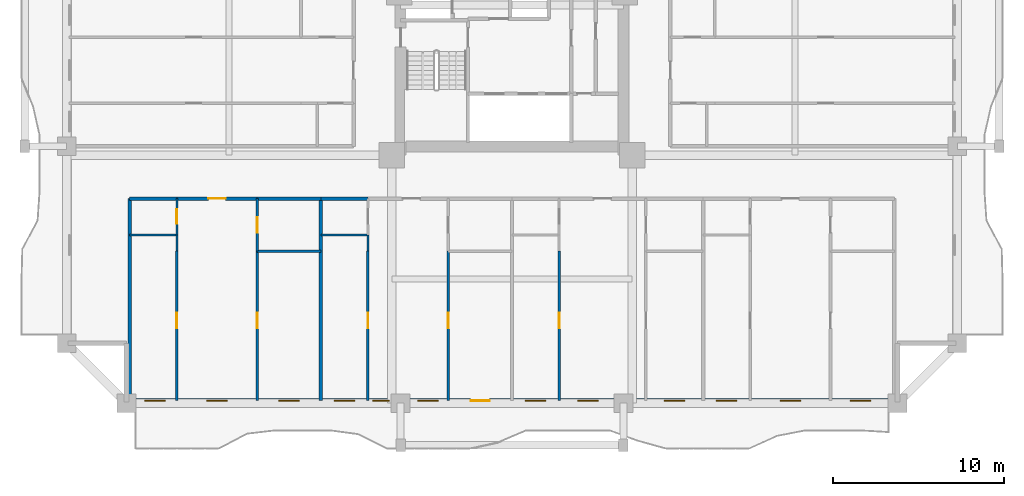
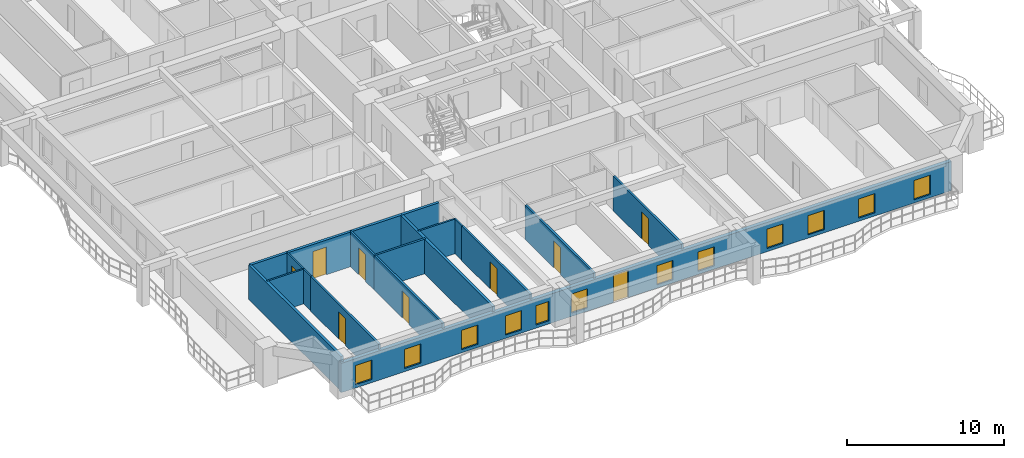
# One storey, part 2 of 15: 19 walls, 12 windows, 9 doors, 21 openings.
"""IFC4 building model written with IfcOpenShell, lengths in metres."""

from ifc_helpers import new_model, si_unit, direction, frame, frame_2d, origin, place, context, subcontext, project, spatial, rectangle, extrude, source, transform, mapped, material, layer, layer_set, type_object, element, fill, save


model = new_model("IFC4")

# Units and contexts
model_context = context("Model", 3, precision=1e-05, world=origin(), true_north=direction((0.0, 1.0)))
body_context = subcontext(model_context, "Body", "Model", "MODEL_VIEW")
ifc_project = project(units=[si_unit("LENGTHUNIT", "METRE"), si_unit("AREAUNIT", "SQUARE_METRE"), si_unit("VOLUMEUNIT", "CUBIC_METRE"), si_unit("PLANEANGLEUNIT", "RADIAN"), si_unit("MASSUNIT", "GRAM", prefix="KILO")], contexts=[model_context])

# Site, building, storey
site_placement = place(None, origin())
site = spatial("IfcSite", under=ifc_project, at=site_placement, CompositionType="ELEMENT")
building_placement = place(site_placement, origin())
building = spatial("IfcBuilding", under=site, at=building_placement, Name="Saelheon Loggia Tower", CompositionType="ELEMENT")
storey_placement = place(building_placement, frame((0.0, 0.0, 67.39990234375)))
storey = spatial("IfcBuildingStorey", under=building, at=storey_placement, Name="L21", CompositionType="ELEMENT", Elevation=67.39990234375)

# Wall, openings, windows, door
ifc_material_1 = material(Name="Architectural Precast Concrete C40/50", Category="concrete")
ifc_layer_1 = layer(ifc_material_1, 0.280029296875)
ifc_layer_set_1 = layer_set([ifc_layer_1], Name="Architectural Precast Concrete C40/50")
wall_type_1 = type_object("IfcWallType", Name="Wall_Ext_Loggia_280", PredefinedType="SOLIDWALL", material=ifc_layer_set_1)
wall_1_placement = place(storey_placement, frame((15.5, 3.139892578125, 0.0), z_axis=(0.0, 0.0, 1.0), x_axis=(1.0, 0.0, 0.0)))
wall_1 = element("IfcWall", 1, at=wall_1_placement, inside=storey, type_object=wall_type_1, Name="L21 South Loggia Inner Wall", PredefinedType="SOLIDWALL", context=body_context, shape_type="SweptSolid", body=[
    extrude(rectangle(XDim=45.0, YDim=0.280029296875, at=frame_2d((22.5, 0.0))), origin(), (0.0, 0.0, 1.0), 2.280029296875),
])
opening_1_placement = place(wall_1_placement, frame((1.06005859375, 0.0, 0.25)))
opening_1 = element("IfcOpeningElement", 2, at=opening_1_placement, cuts=wall_1, Name="Opening WN-03", PredefinedType="OPENING", context=body_context, shape_type="SweptSolid", body=[
    extrude(rectangle(XDim=1.199951171875, YDim=1.5, at=frame_2d((0.60009765625, 0.75))), frame((0.0, 0.152099609375, 0.0), z_axis=(0.0, -1.0, 0.0), x_axis=(1.0, 0.0, 0.0)), (0.0, 0.0, 1.0), 0.303955078125),
])
opening_2_placement = place(wall_1_placement, frame((4.673583984375, 0.0, 0.25)))
opening_2 = element("IfcOpeningElement", 3, at=opening_2_placement, cuts=wall_1, Name="Opening WN-03", PredefinedType="OPENING", context=body_context, shape_type="SweptSolid", body=[
    extrude(rectangle(XDim=1.199951171875, YDim=1.5, at=frame_2d((0.60009765625, 0.75))), frame((0.0, 0.152099609375, 0.0), z_axis=(0.0, -1.0, 0.0), x_axis=(1.0, 0.0, 0.0)), (0.0, 0.0, 1.0), 0.303955078125),
])
opening_3_placement = place(wall_1_placement, frame((8.878662109375, 0.0, 0.25)))
opening_3 = element("IfcOpeningElement", 4, at=opening_3_placement, cuts=wall_1, Name="Opening WN-03", PredefinedType="OPENING", context=body_context, shape_type="SweptSolid", body=[
    extrude(rectangle(XDim=1.199951171875, YDim=1.5, at=frame_2d((0.60009765625, 0.75))), frame((0.0, 0.152099609375, 0.0), z_axis=(0.0, -1.0, 0.0), x_axis=(1.0, 0.0, 0.0)), (0.0, 0.0, 1.0), 0.303955078125),
])
opening_4_placement = place(wall_1_placement, frame((12.114990234375, 0.0, 0.25)))
opening_4 = element("IfcOpeningElement", 5, at=opening_4_placement, cuts=wall_1, Name="Opening WN-03", PredefinedType="OPENING", context=body_context, shape_type="SweptSolid", body=[
    extrude(rectangle(XDim=1.199951171875, YDim=1.5, at=frame_2d((0.60009765625, 0.75))), frame((0.0, 0.152099609375, 0.0), z_axis=(0.0, -1.0, 0.0), x_axis=(1.0, 0.0, 0.0)), (0.0, 0.0, 1.0), 0.303955078125),
])
opening_5_placement = place(wall_1_placement, frame((14.375, 0.0, 0.25)))
opening_5 = element("IfcOpeningElement", 6, at=opening_5_placement, cuts=wall_1, Name="Opening WN-04", PredefinedType="OPENING", context=body_context, shape_type="SweptSolid", body=[
    extrude(rectangle(XDim=0.949951171875, YDim=1.5, at=frame_2d((0.47509765625, 0.75))), frame((0.0, 0.152099609375, 0.0), z_axis=(0.0, -1.0, 0.0), x_axis=(1.0, 0.0, 0.0)), (0.0, 0.0, 1.0), 0.303955078125),
])
opening_6_placement = place(wall_1_placement, frame((16.983642578125, 0.0, 0.25)))
opening_6 = element("IfcOpeningElement", 7, at=opening_6_placement, cuts=wall_1, Name="Opening WN-03", PredefinedType="OPENING", context=body_context, shape_type="SweptSolid", body=[
    extrude(rectangle(XDim=1.199951171875, YDim=1.5, at=frame_2d((0.60009765625, 0.75))), frame((0.0, 0.152099609375, 0.0), z_axis=(0.0, -1.0, 0.0), x_axis=(1.0, 0.0, 0.0)), (0.0, 0.0, 1.0), 0.303955078125),
])
opening_7_placement = place(wall_1_placement, frame((21.188720703125, 0.0, 0.0), z_axis=(0.0, 0.0, 1.0), x_axis=(-1.0, 0.0, 0.0)))
opening_7 = element("IfcOpeningElement", 8, at=opening_7_placement, cuts=wall_1, Name="Opening TD1", PredefinedType="OPENING", context=body_context, shape_type="SweptSolid", body=[
    extrude(rectangle(XDim=1.10009765625, YDim=2.14990234375, at=frame_2d((0.550048828125, 1.074951171875))), frame((0.0, 0.152099609375, 0.0), z_axis=(0.0, -1.0, 0.0), x_axis=(1.0, 0.0, 0.0)), (0.0, 0.0, 1.0), 0.303955078125),
])
opening_8_placement = place(wall_1_placement, frame((23.27490234375, 0.0, 0.25)))
opening_8 = element("IfcOpeningElement", 9, at=opening_8_placement, cuts=wall_1, Name="Opening WN-03", PredefinedType="OPENING", context=body_context, shape_type="SweptSolid", body=[
    extrude(rectangle(XDim=1.199951171875, YDim=1.5, at=frame_2d((0.60009765625, 0.75))), frame((0.0, 0.152099609375, 0.0), z_axis=(0.0, -1.0, 0.0), x_axis=(1.0, 0.0, 0.0)), (0.0, 0.0, 1.0), 0.303955078125),
])
opening_9_placement = place(wall_1_placement, frame((26.330078125, 0.0, 0.25)))
opening_9 = element("IfcOpeningElement", 10, at=opening_9_placement, cuts=wall_1, Name="Opening WN-03", PredefinedType="OPENING", context=body_context, shape_type="SweptSolid", body=[
    extrude(rectangle(XDim=1.199951171875, YDim=1.5, at=frame_2d((0.60009765625, 0.75))), frame((0.0, 0.152099609375, 0.0), z_axis=(0.0, -1.0, 0.0), x_axis=(1.0, 0.0, 0.0)), (0.0, 0.0, 1.0), 0.303955078125),
])
opening_10_placement = place(wall_1_placement, frame((31.389892578125, 0.0, 0.25)))
opening_10 = element("IfcOpeningElement", 11, at=opening_10_placement, cuts=wall_1, Name="Opening WN-03", PredefinedType="OPENING", context=body_context, shape_type="SweptSolid", body=[
    extrude(rectangle(XDim=1.199951171875, YDim=1.5, at=frame_2d((0.60009765625, 0.75))), frame((0.0, 0.152099609375, 0.0), z_axis=(0.0, -1.0, 0.0), x_axis=(1.0, 0.0, 0.0)), (0.0, 0.0, 1.0), 0.303955078125),
])
opening_11_placement = place(wall_1_placement, frame((34.43505859375, 0.0, 0.25)))
opening_11 = element("IfcOpeningElement", 12, at=opening_11_placement, cuts=wall_1, Name="Opening WN-03", PredefinedType="OPENING", context=body_context, shape_type="SweptSolid", body=[
    extrude(rectangle(XDim=1.199951171875, YDim=1.5, at=frame_2d((0.60009765625, 0.75))), frame((0.0, 0.152099609375, 0.0), z_axis=(0.0, -1.0, 0.0), x_axis=(1.0, 0.0, 0.0)), (0.0, 0.0, 1.0), 0.303955078125),
])
opening_12_placement = place(wall_1_placement, frame((38.153564453125, 0.0, 0.25)))
opening_12 = element("IfcOpeningElement", 13, at=opening_12_placement, cuts=wall_1, Name="Opening WN-03", PredefinedType="OPENING", context=body_context, shape_type="SweptSolid", body=[
    extrude(rectangle(XDim=1.199951171875, YDim=1.5, at=frame_2d((0.60009765625, 0.75))), frame((0.0, 0.152099609375, 0.0), z_axis=(0.0, -1.0, 0.0), x_axis=(1.0, 0.0, 0.0)), (0.0, 0.0, 1.0), 0.303955078125),
])
opening_13_placement = place(wall_1_placement, frame((42.253662109375, 0.0, 0.25)))
opening_13 = element("IfcOpeningElement", 14, at=opening_13_placement, cuts=wall_1, Name="Opening WN-03", PredefinedType="OPENING", context=body_context, shape_type="SweptSolid", body=[
    extrude(rectangle(XDim=1.199951171875, YDim=1.5, at=frame_2d((0.60009765625, 0.75))), frame((0.0, 0.152099609375, 0.0), z_axis=(0.0, -1.0, 0.0), x_axis=(1.0, 0.0, 0.0)), (0.0, 0.0, 1.0), 0.303955078125),
])
ifc_material_2 = material(Name="Thermal-Break Aluminium and Triple Low-E Glass", Category="aluminium")
window_type_1 = type_object("IfcWindowType", Name="Win_Bedroom_1200x1500", PartitioningType="SINGLE_PANEL", PredefinedType="WINDOW", material=ifc_material_2)
shared_shape_1 = source(origin(), body_context, "Body", "SweptSolid", [
    extrude(rectangle(XDim=1.199951171875, YDim=1.5, at=frame_2d((0.60009765625, 0.75))), frame((0.0, 0.030029296875, 0.0), z_axis=(0.0, -1.0, 0.0), x_axis=(1.0, 0.0, 0.0)), (0.0, 0.0, 1.0), 0.06005859375),
])
window_1_placement = place(opening_1_placement, origin())
window_1 = element("IfcWindow", 15, at=window_1_placement, inside=storey, type_object=window_type_1, Name="L21 S Dwelling Window 1", OverallHeight=1.5, OverallWidth=1.199951171875, PartitioningType="SINGLE_PANEL", PredefinedType="WINDOW", context=body_context, shape_type="MappedRepresentation", body=[
    mapped(shared_shape_1, transform((0.0, 0.0, 0.0), scale=1.0)),
])
fill(opening_1, window_1)
window_2_placement = place(opening_2_placement, origin())
window_2 = element("IfcWindow", 16, at=window_2_placement, inside=storey, type_object=window_type_1, Name="L21 S Dwelling Window 2", OverallHeight=1.5, OverallWidth=1.199951171875, PartitioningType="SINGLE_PANEL", PredefinedType="WINDOW", context=body_context, shape_type="MappedRepresentation", body=[
    mapped(shared_shape_1, transform((0.0, 0.0, 0.0), scale=1.0)),
])
fill(opening_2, window_2)
window_3_placement = place(opening_3_placement, origin())
window_3 = element("IfcWindow", 17, at=window_3_placement, inside=storey, type_object=window_type_1, Name="L21 S Dwelling Window 3", OverallHeight=1.5, OverallWidth=1.199951171875, PartitioningType="SINGLE_PANEL", PredefinedType="WINDOW", context=body_context, shape_type="MappedRepresentation", body=[
    mapped(shared_shape_1, transform((0.0, 0.0, 0.0), scale=1.0)),
])
fill(opening_3, window_3)
window_4_placement = place(opening_4_placement, origin())
window_4 = element("IfcWindow", 18, at=window_4_placement, inside=storey, type_object=window_type_1, Name="L21 S Dwelling Window 4", OverallHeight=1.5, OverallWidth=1.199951171875, PartitioningType="SINGLE_PANEL", PredefinedType="WINDOW", context=body_context, shape_type="MappedRepresentation", body=[
    mapped(shared_shape_1, transform((0.0, 0.0, 0.0), scale=1.0)),
])
fill(opening_4, window_4)
window_5_placement = place(opening_6_placement, origin())
window_5 = element("IfcWindow", 19, at=window_5_placement, inside=storey, type_object=window_type_1, Name="L21 S Dwelling Window 6", OverallHeight=1.5, OverallWidth=1.199951171875, PartitioningType="SINGLE_PANEL", PredefinedType="WINDOW", context=body_context, shape_type="MappedRepresentation", body=[
    mapped(shared_shape_1, transform((0.0, 0.0, 0.0), scale=1.0)),
])
fill(opening_6, window_5)
window_6_placement = place(opening_8_placement, origin())
window_6 = element("IfcWindow", 20, at=window_6_placement, inside=storey, type_object=window_type_1, Name="L21 S Dwelling Window 8", OverallHeight=1.5, OverallWidth=1.199951171875, PartitioningType="SINGLE_PANEL", PredefinedType="WINDOW", context=body_context, shape_type="MappedRepresentation", body=[
    mapped(shared_shape_1, transform((0.0, 0.0, 0.0), scale=1.0)),
])
fill(opening_8, window_6)
window_7_placement = place(opening_9_placement, origin())
window_7 = element("IfcWindow", 21, at=window_7_placement, inside=storey, type_object=window_type_1, Name="L21 S Dwelling Window 9", OverallHeight=1.5, OverallWidth=1.199951171875, PartitioningType="SINGLE_PANEL", PredefinedType="WINDOW", context=body_context, shape_type="MappedRepresentation", body=[
    mapped(shared_shape_1, transform((0.0, 0.0, 0.0), scale=1.0)),
])
fill(opening_9, window_7)
window_8_placement = place(opening_10_placement, origin())
window_8 = element("IfcWindow", 22, at=window_8_placement, inside=storey, type_object=window_type_1, Name="L21 S Dwelling Window 10", OverallHeight=1.5, OverallWidth=1.199951171875, PartitioningType="SINGLE_PANEL", PredefinedType="WINDOW", context=body_context, shape_type="MappedRepresentation", body=[
    mapped(shared_shape_1, transform((0.0, 0.0, 0.0), scale=1.0)),
])
fill(opening_10, window_8)
window_9_placement = place(opening_11_placement, origin())
window_9 = element("IfcWindow", 23, at=window_9_placement, inside=storey, type_object=window_type_1, Name="L21 S Dwelling Window 11", OverallHeight=1.5, OverallWidth=1.199951171875, PartitioningType="SINGLE_PANEL", PredefinedType="WINDOW", context=body_context, shape_type="MappedRepresentation", body=[
    mapped(shared_shape_1, transform((0.0, 0.0, 0.0), scale=1.0)),
])
fill(opening_11, window_9)
window_10_placement = place(opening_12_placement, origin())
window_10 = element("IfcWindow", 24, at=window_10_placement, inside=storey, type_object=window_type_1, Name="L21 S Dwelling Window 12", OverallHeight=1.5, OverallWidth=1.199951171875, PartitioningType="SINGLE_PANEL", PredefinedType="WINDOW", context=body_context, shape_type="MappedRepresentation", body=[
    mapped(shared_shape_1, transform((0.0, 0.0, 0.0), scale=1.0)),
])
fill(opening_12, window_10)
window_11_placement = place(opening_13_placement, origin())
window_11 = element("IfcWindow", 25, at=window_11_placement, inside=storey, type_object=window_type_1, Name="L21 S Dwelling Window 13", OverallHeight=1.5, OverallWidth=1.199951171875, PartitioningType="SINGLE_PANEL", PredefinedType="WINDOW", context=body_context, shape_type="MappedRepresentation", body=[
    mapped(shared_shape_1, transform((0.0, 0.0, 0.0), scale=1.0)),
])
fill(opening_13, window_11)
ifc_material_3 = material(Name="Thermal-Break Aluminium Glazed Door", Category="aluminium")
door_type_1 = type_object("IfcDoorType", Name="Door_Terrace_TD1", OperationType="NOTDEFINED", PredefinedType="DOOR", material=ifc_material_3)
shared_shape_2 = source(origin(), body_context, "Body", "SweptSolid", [
    extrude(rectangle(XDim=1.10009765625, YDim=2.14990234375, at=frame_2d((0.550048828125, 1.074951171875))), frame((0.0, 0.02490234375, 0.0), z_axis=(0.0, -1.0, 0.0), x_axis=(1.0, 0.0, 0.0)), (0.0, 0.0, 1.0), 0.050048828125),
])
door_1_placement = place(opening_7_placement, origin())
door_1 = element("IfcDoor", 26, at=door_1_placement, inside=storey, type_object=door_type_1, Name="L21 S Loggia Access Door", OperationType="SINGLE_SWING_LEFT", OverallHeight=2.14990234375, OverallWidth=1.10009765625, PredefinedType="DOOR", context=body_context, shape_type="MappedRepresentation", body=[
    mapped(shared_shape_2, transform((0.0, 0.0, 0.0), scale=1.0)),
])
fill(opening_7, door_1)
window_type_2 = type_object("IfcWindowType", Name="Win_Narrow_950x1500", PartitioningType="SINGLE_PANEL", PredefinedType="WINDOW", material=ifc_material_2)
shared_shape_3 = source(origin(), body_context, "Body", "SweptSolid", [
    extrude(rectangle(XDim=0.949951171875, YDim=1.5, at=frame_2d((0.47509765625, 0.75))), frame((0.0, 0.030029296875, 0.0), z_axis=(0.0, -1.0, 0.0), x_axis=(1.0, 0.0, 0.0)), (0.0, 0.0, 1.0), 0.06005859375),
])
window_12_placement = place(opening_5_placement, origin())
window_12 = element("IfcWindow", 27, at=window_12_placement, inside=storey, type_object=window_type_2, Name="L21 S Dwelling Window 5", OverallHeight=1.5, OverallWidth=0.949951171875, PartitioningType="SINGLE_PANEL", PredefinedType="WINDOW", context=body_context, shape_type="MappedRepresentation", body=[
    mapped(shared_shape_3, transform((0.0, 0.0, 0.0), scale=1.0)),
])
fill(opening_5, window_12)

# Wall
ifc_material_4 = material(Name="Lightweight Autoclaved Aerated Concrete Block and Acoustic Gypsum", Category="concrete")
ifc_layer_2 = layer(ifc_material_4, 0.14990234375)
ifc_layer_set_2 = layer_set([ifc_layer_2], Name="Lightweight Autoclaved Aerated Concrete Block and Acoustic Gypsum")
wall_type_2 = type_object("IfcWallType", Name="Wall_Part_150", PredefinedType="PARTITIONING", material=ifc_layer_set_2)
wall_2_placement = place(storey_placement, frame((23.1171875, 11.8798828125, 0.0), z_axis=(0.0, 0.0, 1.0), x_axis=(1.0, 0.0, 0.0)))
element("IfcWall", 28, at=wall_2_placement, inside=storey, type_object=wall_type_2, Name="L21 S Partition V07", PredefinedType="PARTITIONING", context=body_context, shape_type="SweptSolid", body=[
    extrude(rectangle(XDim=3.722900390625, YDim=0.14990234375, at=frame_2d((1.861328125, 0.0))), origin(), (0.0, 0.0, 1.0), 2.7001953125),
])

# Wall, opening, door
wall_3_placement = place(storey_placement, frame((18.429931640625, 11.8798828125, 0.0), z_axis=(0.0, 0.0, 1.0), x_axis=(0.0, -1.0, 0.0)))
wall_3 = element("IfcWall", 29, at=wall_3_placement, inside=storey, type_object=wall_type_2, Name="L21 S Partition U10", PredefinedType="PARTITIONING", context=body_context, shape_type="SweptSolid", body=[
    extrude(rectangle(XDim=8.72998046875, YDim=0.14990234375, at=frame_2d((4.364990234375, 0.0))), origin(), (0.0, 0.0, 1.0), 2.7001953125),
])
opening_14_placement = place(wall_3_placement, frame((3.608642578125, 0.0, 0.0)))
opening_14 = element("IfcOpeningElement", 30, at=opening_14_placement, cuts=wall_3, Name="Opening D-IN2", PredefinedType="OPENING", context=body_context, shape_type="SweptSolid", body=[
    extrude(rectangle(XDim=0.89990234375, YDim=2.10009765625, at=frame_2d((0.449951171875, 1.050048828125))), frame((0.0, 0.0869140625, 0.0), z_axis=(0.0, -1.0, 0.0), x_axis=(1.0, 0.0, 0.0)), (0.0, 0.0, 1.0), 0.173828125),
])
ifc_material_5 = material(Name="Engineered Oak Flush Door", Category="timber")
door_type_2 = type_object("IfcDoorType", Name="Door_Int_900", OperationType="NOTDEFINED", PredefinedType="DOOR", material=ifc_material_5)
shared_shape_4 = source(origin(), body_context, "Body", "SweptSolid", [
    extrude(rectangle(XDim=0.89990234375, YDim=2.10009765625, at=frame_2d((0.449951171875, 1.050048828125))), frame((0.0, 0.02490234375, 0.0), z_axis=(0.0, -1.0, 0.0), x_axis=(1.0, 0.0, 0.0)), (0.0, 0.0, 1.0), 0.050048828125),
])
door_2_placement = place(opening_14_placement, origin())
door_2 = element("IfcDoor", 31, at=door_2_placement, inside=storey, type_object=door_type_2, Name="Unit U01 Kitchen Door", OperationType="SINGLE_SWING_RIGHT", OverallHeight=2.10009765625, OverallWidth=0.89990234375, PredefinedType="DOOR", context=body_context, shape_type="MappedRepresentation", body=[
    mapped(shared_shape_4, transform((0.0, 0.0, 0.0), scale=1.0)),
])
fill(opening_14, door_2)

wall_4_placement = place(storey_placement, frame((23.1171875, 14.949951171875, 0.0), z_axis=(0.0, 0.0, 1.0), x_axis=(0.0, -1.0, 0.0)))
wall_4 = element("IfcWall", 32, at=wall_4_placement, inside=storey, type_object=wall_type_2, Name="L21 S Partition U11", PredefinedType="PARTITIONING", context=body_context, shape_type="SweptSolid", body=[
    extrude(rectangle(XDim=3.070068359375, YDim=0.14990234375, at=frame_2d((1.53515625, 0.0))), origin(), (0.0, 0.0, 1.0), 2.7001953125),
])
opening_15_placement = place(wall_4_placement, frame((1.0849609375, 0.0, 0.0)))
opening_15 = element("IfcOpeningElement", 33, at=opening_15_placement, cuts=wall_4, Name="Opening D-IN2", PredefinedType="OPENING", context=body_context, shape_type="SweptSolid", body=[
    extrude(rectangle(XDim=0.89990234375, YDim=2.10009765625, at=frame_2d((0.449951171875, 1.050048828125))), frame((0.0, 0.0869140625, 0.0), z_axis=(0.0, -1.0, 0.0), x_axis=(1.0, 0.0, 0.0)), (0.0, 0.0, 1.0), 0.173828125),
])
door_3_placement = place(opening_15_placement, origin())
door_3 = element("IfcDoor", 34, at=door_3_placement, inside=storey, type_object=door_type_2, Name="Unit U01 Home Office Door", OperationType="SINGLE_SWING_LEFT", OverallHeight=2.10009765625, OverallWidth=0.89990234375, PredefinedType="DOOR", context=body_context, shape_type="MappedRepresentation", body=[
    mapped(shared_shape_4, transform((0.0, 0.0, 0.0), scale=1.0)),
])
fill(opening_15, door_3)

wall_5_placement = place(storey_placement, frame((23.1171875, 11.8798828125, 0.0), z_axis=(0.0, 0.0, 1.0), x_axis=(0.0, -1.0, 0.0)))
wall_5 = element("IfcWall", 35, at=wall_5_placement, inside=storey, type_object=wall_type_2, Name="L21 S Partition U12", PredefinedType="PARTITIONING", context=body_context, shape_type="SweptSolid", body=[
    extrude(rectangle(XDim=8.72998046875, YDim=0.14990234375, at=frame_2d((4.364990234375, 0.0))), origin(), (0.0, 0.0, 1.0), 2.7001953125),
])
opening_16_placement = place(wall_5_placement, frame((3.608642578125, 0.0, 0.0)))
opening_16 = element("IfcOpeningElement", 36, at=opening_16_placement, cuts=wall_5, Name="Opening D-IN2", PredefinedType="OPENING", context=body_context, shape_type="SweptSolid", body=[
    extrude(rectangle(XDim=0.89990234375, YDim=2.10009765625, at=frame_2d((0.449951171875, 1.050048828125))), frame((0.0, 0.0869140625, 0.0), z_axis=(0.0, -1.0, 0.0), x_axis=(1.0, 0.0, 0.0)), (0.0, 0.0, 1.0), 0.173828125),
])
door_4_placement = place(opening_16_placement, origin())
door_4 = element("IfcDoor", 37, at=door_4_placement, inside=storey, type_object=door_type_2, Name="Unit U01 Bedroom 1 Door", OperationType="SINGLE_SWING_RIGHT", OverallHeight=2.10009765625, OverallWidth=0.89990234375, PredefinedType="DOOR", context=body_context, shape_type="MappedRepresentation", body=[
    mapped(shared_shape_4, transform((0.0, 0.0, 0.0), scale=1.0)),
])
fill(opening_16, door_4)

wall_6_placement = place(storey_placement, frame((29.590087890625, 11.8798828125, 0.0), z_axis=(0.0, 0.0, 1.0), x_axis=(0.0, -1.0, 0.0)))
wall_6 = element("IfcWall", 38, at=wall_6_placement, inside=storey, type_object=wall_type_2, Name="L21 S Partition U21", PredefinedType="PARTITIONING", context=body_context, shape_type="SweptSolid", body=[
    extrude(rectangle(XDim=8.72998046875, YDim=0.14990234375, at=frame_2d((4.364990234375, 0.0))), origin(), (0.0, 0.0, 1.0), 2.7001953125),
])
opening_17_placement = place(wall_6_placement, frame((3.608642578125, 0.0, 0.0)))
opening_17 = element("IfcOpeningElement", 39, at=opening_17_placement, cuts=wall_6, Name="Opening D-IN2", PredefinedType="OPENING", context=body_context, shape_type="SweptSolid", body=[
    extrude(rectangle(XDim=0.89990234375, YDim=2.10009765625, at=frame_2d((0.449951171875, 1.050048828125))), frame((0.0, 0.0869140625, 0.0), z_axis=(0.0, -1.0, 0.0), x_axis=(1.0, 0.0, 0.0)), (0.0, 0.0, 1.0), 0.173828125),
])
door_5_placement = place(opening_17_placement, origin())
door_5 = element("IfcDoor", 40, at=door_5_placement, inside=storey, type_object=door_type_2, Name="Unit U02 Kitchen Door", OperationType="SINGLE_SWING_LEFT", OverallHeight=2.10009765625, OverallWidth=0.89990234375, PredefinedType="DOOR", context=body_context, shape_type="MappedRepresentation", body=[
    mapped(shared_shape_4, transform((0.0, 0.0, 0.0), scale=1.0)),
])
fill(opening_17, door_5)

wall_7_placement = place(storey_placement, frame((34.277099609375, 11.8798828125, 0.0), z_axis=(0.0, 0.0, 1.0), x_axis=(0.0, -1.0, 0.0)))
wall_7 = element("IfcWall", 41, at=wall_7_placement, inside=storey, type_object=wall_type_2, Name="L21 S Partition U23", PredefinedType="PARTITIONING", context=body_context, shape_type="SweptSolid", body=[
    extrude(rectangle(XDim=8.72998046875, YDim=0.14990234375, at=frame_2d((4.364990234375, 0.0))), origin(), (0.0, 0.0, 1.0), 2.7001953125),
])
opening_18_placement = place(wall_7_placement, frame((3.608642578125, 0.0, 0.0)))
opening_18 = element("IfcOpeningElement", 42, at=opening_18_placement, cuts=wall_7, Name="Opening D-IN2", PredefinedType="OPENING", context=body_context, shape_type="SweptSolid", body=[
    extrude(rectangle(XDim=0.89990234375, YDim=2.10009765625, at=frame_2d((0.449951171875, 1.050048828125))), frame((0.0, 0.0869140625, 0.0), z_axis=(0.0, -1.0, 0.0), x_axis=(1.0, 0.0, 0.0)), (0.0, 0.0, 1.0), 0.173828125),
])
door_6_placement = place(opening_18_placement, origin())
door_6 = element("IfcDoor", 43, at=door_6_placement, inside=storey, type_object=door_type_2, Name="Unit U02 Bedroom 1 Door", OperationType="SINGLE_SWING_LEFT", OverallHeight=2.10009765625, OverallWidth=0.89990234375, PredefinedType="DOOR", context=body_context, shape_type="MappedRepresentation", body=[
    mapped(shared_shape_4, transform((0.0, 0.0, 0.0), scale=1.0)),
])
fill(opening_18, door_6)

wall_8_placement = place(storey_placement, frame((40.75, 11.8798828125, 0.0), z_axis=(0.0, 0.0, 1.0), x_axis=(0.0, -1.0, 0.0)))
wall_8 = element("IfcWall", 44, at=wall_8_placement, inside=storey, type_object=wall_type_2, Name="L21 S Partition U32", PredefinedType="PARTITIONING", context=body_context, shape_type="SweptSolid", body=[
    extrude(rectangle(XDim=8.72998046875, YDim=0.14990234375, at=frame_2d((4.364990234375, 0.0))), origin(), (0.0, 0.0, 1.0), 2.7001953125),
])
opening_19_placement = place(wall_8_placement, frame((3.608642578125, 0.0, 0.0)))
opening_19 = element("IfcOpeningElement", 45, at=opening_19_placement, cuts=wall_8, Name="Opening D-IN2", PredefinedType="OPENING", context=body_context, shape_type="SweptSolid", body=[
    extrude(rectangle(XDim=0.89990234375, YDim=2.10009765625, at=frame_2d((0.449951171875, 1.050048828125))), frame((0.0, 0.0869140625, 0.0), z_axis=(0.0, -1.0, 0.0), x_axis=(1.0, 0.0, 0.0)), (0.0, 0.0, 1.0), 0.173828125),
])
door_7_placement = place(opening_19_placement, origin())
door_7 = element("IfcDoor", 46, at=door_7_placement, inside=storey, type_object=door_type_2, Name="Unit U03 Kitchen Door", OperationType="SINGLE_SWING_RIGHT", OverallHeight=2.10009765625, OverallWidth=0.89990234375, PredefinedType="DOOR", context=body_context, shape_type="MappedRepresentation", body=[
    mapped(shared_shape_4, transform((0.0, 0.0, 0.0), scale=1.0)),
])
fill(opening_19, door_7)

# Walls
ifc_material_6 = material(Name="Double Acoustic Stud and Fireboard Partition", Category="gypsum")
ifc_layer_3 = layer(ifc_material_6, 0.199951171875)
ifc_layer_set_3 = layer_set([ifc_layer_3], Name="Double Acoustic Stud and Fireboard Partition")
wall_type_3 = type_object("IfcWallType", Name="Wall_Party_200", PredefinedType="PARTITIONING", material=ifc_layer_set_3)
wall_9_placement = place(storey_placement, frame((15.679931640625, 14.949951171875, 0.0), z_axis=(0.0, 0.0, 1.0), x_axis=(0.0, -1.0, 0.0)))
element("IfcWall", 47, at=wall_9_placement, inside=storey, type_object=wall_type_3, Name="L21 S Partition U01", PredefinedType="PARTITIONING", context=body_context, shape_type="SweptSolid", body=[
    extrude(rectangle(XDim=11.800048828125, YDim=0.199951171875, at=frame_2d((5.89990234375, 0.0))), origin(), (0.0, 0.0, 1.0), 2.7001953125),
])
wall_10_placement = place(storey_placement, frame((15.679931640625, 14.949951171875, 0.0), z_axis=(0.0, 0.0, 1.0), x_axis=(1.0, 0.0, 0.0)))
element("IfcWall", 48, at=wall_10_placement, inside=storey, type_object=wall_type_3, Name="L21 S Partition V03", PredefinedType="PARTITIONING", context=body_context, shape_type="SweptSolid", body=[
    extrude(rectangle(XDim=2.75, YDim=0.199951171875, at=frame_2d((1.375, 0.0))), origin(), (0.0, 0.0, 1.0), 2.7001953125),
])

# Wall, opening, door
wall_11_placement = place(storey_placement, frame((18.429931640625, 14.949951171875, 0.0), z_axis=(0.0, 0.0, 1.0), x_axis=(1.0, 0.0, 0.0)))
wall_11 = element("IfcWall", 49, at=wall_11_placement, inside=storey, type_object=wall_type_3, Name="L21 S Partition V04", PredefinedType="PARTITIONING", context=body_context, shape_type="SweptSolid", body=[
    extrude(rectangle(XDim=4.687255859375, YDim=0.199951171875, at=frame_2d((2.34375, 0.0))), origin(), (0.0, 0.0, 1.0), 2.7001953125),
])
opening_20_placement = place(wall_11_placement, frame((1.843505859375, 0.0, 0.0)))
opening_20 = element("IfcOpeningElement", 50, at=opening_20_placement, cuts=wall_11, Name="Opening D-FD1", PredefinedType="OPENING", context=body_context, shape_type="SweptSolid", body=[
    extrude(rectangle(XDim=1.0, YDim=2.14990234375, at=frame_2d((0.5, 1.074951171875))), frame((0.0, 0.112060546875, 0.0), z_axis=(0.0, -1.0, 0.0), x_axis=(1.0, 0.0, 0.0)), (0.0, 0.0, 1.0), 0.223876953125),
])
ifc_material_7 = material(Name="Fire-Rated Engineered Timber Entrance Door", Category="wood")
door_type_3 = type_object("IfcDoorType", Name="Door_Flat_FD30S", OperationType="NOTDEFINED", PredefinedType="DOOR", material=ifc_material_7)
shared_shape_5 = source(origin(), body_context, "Body", "SweptSolid", [
    extrude(rectangle(XDim=1.0, YDim=2.14990234375, at=frame_2d((0.5, 1.074951171875))), frame((0.0, 0.02490234375, 0.0), z_axis=(0.0, -1.0, 0.0), x_axis=(1.0, 0.0, 0.0)), (0.0, 0.0, 1.0), 0.050048828125),
])
door_8_placement = place(opening_20_placement, origin())
door_8 = element("IfcDoor", 51, at=door_8_placement, inside=storey, type_object=door_type_3, Name="Unit U01 Entrance Door", OperationType="SINGLE_SWING_RIGHT", OverallHeight=2.14990234375, OverallWidth=1.0, PredefinedType="DOOR", context=body_context, shape_type="MappedRepresentation", body=[
    mapped(shared_shape_5, transform((0.0, 0.0, 0.0), scale=1.0)),
])
fill(opening_20, door_8)

# Walls
wall_12_placement = place(storey_placement, frame((23.1171875, 14.949951171875, 0.0), z_axis=(0.0, 0.0, 1.0), x_axis=(1.0, 0.0, 0.0)))
element("IfcWall", 52, at=wall_12_placement, inside=storey, type_object=wall_type_3, Name="L21 S Partition V05", PredefinedType="PARTITIONING", context=body_context, shape_type="SweptSolid", body=[
    extrude(rectangle(XDim=3.722900390625, YDim=0.199951171875, at=frame_2d((1.861328125, 0.0))), origin(), (0.0, 0.0, 1.0), 2.7001953125),
])
wall_13_placement = place(storey_placement, frame((26.840087890625, 14.949951171875, 0.0), z_axis=(0.0, 0.0, 1.0), x_axis=(0.0, -1.0, 0.0)))
element("IfcWall", 53, at=wall_13_placement, inside=storey, type_object=wall_type_3, Name="L21 S Partition U13", PredefinedType="PARTITIONING", context=body_context, shape_type="SweptSolid", body=[
    extrude(rectangle(XDim=11.800048828125, YDim=0.199951171875, at=frame_2d((5.89990234375, 0.0))), origin(), (0.0, 0.0, 1.0), 2.7001953125),
])
wall_14_placement = place(storey_placement, frame((26.840087890625, 14.949951171875, 0.0), z_axis=(0.0, 0.0, 1.0), x_axis=(1.0, 0.0, 0.0)))
element("IfcWall", 54, at=wall_14_placement, inside=storey, type_object=wall_type_3, Name="L21 S Partition V14", PredefinedType="PARTITIONING", context=body_context, shape_type="SweptSolid", body=[
    extrude(rectangle(XDim=2.75, YDim=0.199951171875, at=frame_2d((1.375, 0.0))), origin(), (0.0, 0.0, 1.0), 2.7001953125),
])
ifc_material_8 = material(Name="Moisture-Resistant Cement Board Partition", Category="gypsum")
ifc_layer_4 = layer(ifc_material_8, 0.1201171875)
ifc_layer_set_4 = layer_set([ifc_layer_4], Name="Moisture-Resistant Cement Board Partition")
wall_type_4 = type_object("IfcWallType", Name="Wall_WetPart_120", PredefinedType="PARTITIONING", material=ifc_layer_set_4)
wall_15_placement = place(storey_placement, frame((15.679931640625, 12.830078125, 0.0), z_axis=(0.0, 0.0, 1.0), x_axis=(1.0, 0.0, 0.0)))
element("IfcWall", 55, at=wall_15_placement, inside=storey, type_object=wall_type_4, Name="L21 S Partition V06", PredefinedType="PARTITIONING", context=body_context, shape_type="SweptSolid", body=[
    extrude(rectangle(XDim=2.75, YDim=0.1201171875, at=frame_2d((1.375, 0.0))), origin(), (0.0, 0.0, 1.0), 2.7001953125),
])

# Wall, opening, door
wall_16_placement = place(storey_placement, frame((18.429931640625, 14.949951171875, 0.0), z_axis=(0.0, 0.0, 1.0), x_axis=(0.0, -1.0, 0.0)))
wall_16 = element("IfcWall", 56, at=wall_16_placement, inside=storey, type_object=wall_type_4, Name="L21 S Partition U08", PredefinedType="PARTITIONING", context=body_context, shape_type="SweptSolid", body=[
    extrude(rectangle(XDim=2.119873046875, YDim=0.1201171875, at=frame_2d((1.06005859375, 0.0))), origin(), (0.0, 0.0, 1.0), 2.7001953125),
])
opening_21_placement = place(wall_16_placement, frame((0.635009765625, 0.0, 0.0)))
opening_21 = element("IfcOpeningElement", 57, at=opening_21_placement, cuts=wall_16, Name="Opening D-BT1", PredefinedType="OPENING", context=body_context, shape_type="SweptSolid", body=[
    extrude(rectangle(XDim=0.85009765625, YDim=2.050048828125, at=frame_2d((0.425048828125, 1.02490234375))), frame((0.0, 0.072021484375, 0.0), z_axis=(0.0, -1.0, 0.0), x_axis=(1.0, 0.0, 0.0)), (0.0, 0.0, 1.0), 0.14404296875),
])
ifc_material_9 = material(Name="Moisture-Resistant Laminate Timber Door", Category="wood")
door_type_4 = type_object("IfcDoorType", Name="Door_Bath_850", OperationType="NOTDEFINED", PredefinedType="DOOR", material=ifc_material_9)
shared_shape_6 = source(origin(), body_context, "Body", "SweptSolid", [
    extrude(rectangle(XDim=0.85009765625, YDim=2.050048828125, at=frame_2d((0.425048828125, 1.02490234375))), frame((0.0, 0.02490234375, 0.0), z_axis=(0.0, -1.0, 0.0), x_axis=(1.0, 0.0, 0.0)), (0.0, 0.0, 1.0), 0.050048828125),
])
door_9_placement = place(opening_21_placement, origin())
door_9 = element("IfcDoor", 58, at=door_9_placement, inside=storey, type_object=door_type_4, Name="Unit U01 Bathroom Door", OperationType="SINGLE_SWING_LEFT", OverallHeight=2.050048828125, OverallWidth=0.85009765625, PredefinedType="DOOR", context=body_context, shape_type="MappedRepresentation", body=[
    mapped(shared_shape_6, transform((0.0, 0.0, 0.0), scale=1.0)),
])
fill(opening_21, door_9)

# Walls
wall_17_placement = place(storey_placement, frame((18.429931640625, 12.830078125, 0.0), z_axis=(0.0, 0.0, 1.0), x_axis=(0.0, -1.0, 0.0)))
element("IfcWall", 59, at=wall_17_placement, inside=storey, type_object=wall_type_4, Name="L21 S Partition U09", PredefinedType="PARTITIONING", context=body_context, shape_type="SweptSolid", body=[
    extrude(rectangle(XDim=0.9501953125, YDim=0.1201171875, at=frame_2d((0.47509765625, 0.0))), origin(), (0.0, 0.0, 1.0), 2.7001953125),
])
wall_18_placement = place(storey_placement, frame((26.840087890625, 12.830078125, 0.0), z_axis=(0.0, 0.0, 1.0), x_axis=(1.0, 0.0, 0.0)))
element("IfcWall", 60, at=wall_18_placement, inside=storey, type_object=wall_type_4, Name="L21 S Partition V17", PredefinedType="PARTITIONING", context=body_context, shape_type="SweptSolid", body=[
    extrude(rectangle(XDim=2.75, YDim=0.1201171875, at=frame_2d((1.375, 0.0))), origin(), (0.0, 0.0, 1.0), 2.7001953125),
])
wall_19_placement = place(storey_placement, frame((29.590087890625, 12.830078125, 0.0), z_axis=(0.0, 0.0, 1.0), x_axis=(0.0, -1.0, 0.0)))
element("IfcWall", 61, at=wall_19_placement, inside=storey, type_object=wall_type_4, Name="L21 S Partition U20", PredefinedType="PARTITIONING", context=body_context, shape_type="SweptSolid", body=[
    extrude(rectangle(XDim=0.9501953125, YDim=0.1201171875, at=frame_2d((0.47509765625, 0.0))), origin(), (0.0, 0.0, 1.0), 2.7001953125),
])

save(model, "model.ifc")
